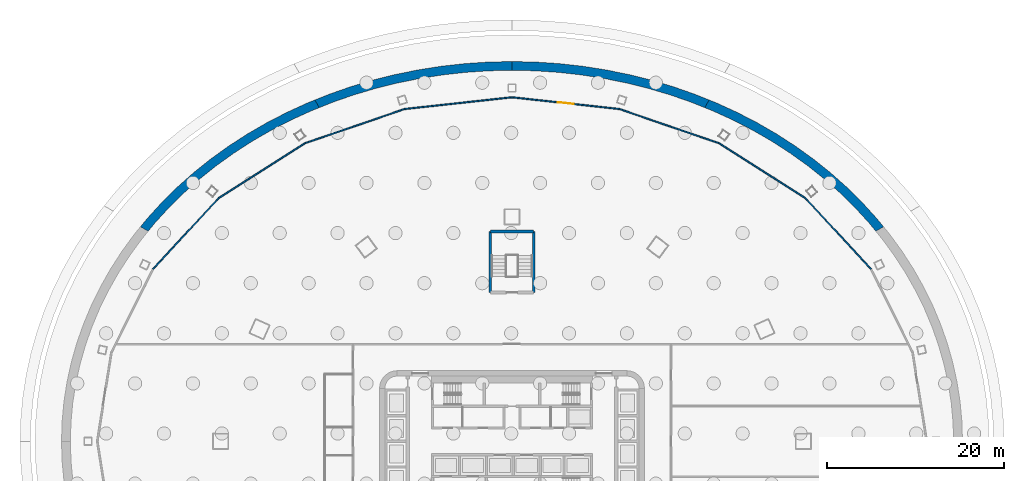
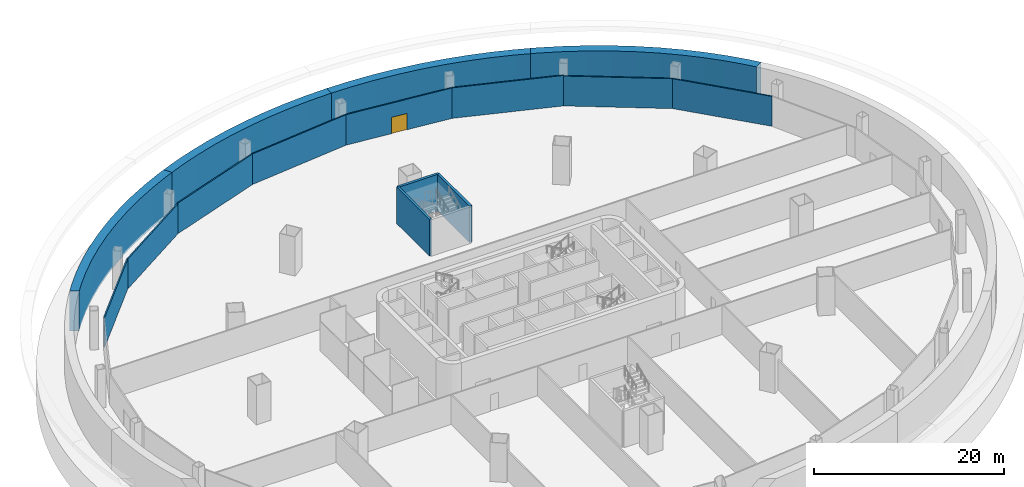
# One storey, part 11 of 19: 15 walls, 1 door, 1 opening.
"""IFC4 building model written with IfcOpenShell, lengths in metres."""

from ifc_helpers import new_model, si_unit, direction, frame, frame_2d, origin, place, context, subcontext, project, spatial, polyline, rectangle, outline, extrude, material, layer, layer_set, type_object, element, fill, save


model = new_model("IFC4")

# Units and contexts
model_context = context("Model", 3, precision=1e-05, world=origin(), true_north=direction((0.0, 1.0)))
body_context = subcontext(model_context, "Body", "Model", "MODEL_VIEW")
ifc_project = project(units=[si_unit("LENGTHUNIT", "METRE"), si_unit("AREAUNIT", "SQUARE_METRE"), si_unit("VOLUMEUNIT", "CUBIC_METRE"), si_unit("PLANEANGLEUNIT", "RADIAN"), si_unit("MASSUNIT", "GRAM", prefix="KILO")], contexts=[model_context])

# Site, building, storey
site_placement = place(None, origin())
site = spatial("IfcSite", under=ifc_project, at=site_placement, CompositionType="ELEMENT")
building_placement = place(site_placement, origin())
building = spatial("IfcBuilding", under=site, at=building_placement, Name="Sahrelin Media Tower", CompositionType="ELEMENT")
storey_placement = place(building_placement, frame((0.0, 0.0, -5.0)))
storey = spatial("IfcBuildingStorey", under=building, at=storey_placement, Name="B1", CompositionType="ELEMENT", Elevation=-5.0)

# Walls
ifc_material_1 = material(Name="Concrete C50/60", Category="concrete")
ifc_layer_1 = layer(ifc_material_1, 1.0)
ifc_layer_set_1 = layer_set([ifc_layer_1], Name="Basement retaining wall")
wall_type_1 = type_object("IfcWallType", Name="Basement retaining wall", PredefinedType="SOLIDWALL", material=ifc_layer_set_1)
placement = place(storey_placement, frame((0.0, 0.0, -0.300048828125)))
element("IfcWall", 1, at=placement, inside=storey, type_object=wall_type_1, Name="Basement retaining wall 2", PredefinedType="SOLIDWALL", context=body_context, shape_type="SweptSolid", body=[
    extrude(outline(polyline([(22.31494140625, 38.650634765625), (21.811279296875, 37.7783203125), (22.699462890625, 37.42236328125), (25.0, 36.373046875), (27.23193359375, 35.22412109375), (29.389404296875, 33.978759765625), (31.466064453125, 32.64013671875), (33.45654296875, 31.212158203125), (35.355224609375, 29.698486328125), (37.1572265625, 28.103515625), (38.857421875, 26.431396484375), (40.45068359375, 24.68701171875), (41.19140625, 23.781982421875), (42.0654296875, 24.28662109375), (41.260009765625, 25.27490234375), (39.634521484375, 27.060791015625), (37.900390625, 28.772705078125), (36.0625, 30.405517578125), (34.125732421875, 31.955078125), (32.09521484375, 33.417236328125), (29.97705078125, 34.78759765625), (27.776611328125, 36.062744140625), (25.5, 37.239013671875), (23.153564453125, 38.313232421875), (22.31494140625, 38.650634765625)])), origin(), (0.0, 0.0, 1.0), 5.10009765625),
])
element("IfcWall", 2, at=placement, inside=storey, type_object=wall_type_1, Name="Basement retaining wall 3", PredefinedType="SOLIDWALL", context=body_context, shape_type="SweptSolid", body=[
    extrude(outline(polyline([(0.0, 43.0), (0.0, 42.0), (2.61669921875, 41.9423828125), (5.226318359375, 41.77001953125), (7.82177734375, 41.48291015625), (10.3955078125, 41.082275390625), (12.94091796875, 40.56884765625), (15.45068359375, 39.9443359375), (17.91845703125, 39.21044921875), (20.3369140625, 38.368896484375), (21.811279296875, 37.7783203125), (22.31494140625, 38.650634765625), (20.74365234375, 39.282470703125), (18.27685546875, 40.14404296875), (15.760009765625, 40.8955078125), (13.19970703125, 41.534912109375), (10.603515625, 42.060302734375), (7.978271484375, 42.470703125), (5.3310546875, 42.764404296875), (2.669189453125, 42.941162109375), (0.0, 43.0)])), origin(), (0.0, 0.0, 1.0), 5.10009765625),
])
element("IfcWall", 3, at=placement, inside=storey, type_object=wall_type_1, Name="Basement retaining wall 4", PredefinedType="SOLIDWALL", context=body_context, shape_type="SweptSolid", body=[
    extrude(outline(polyline([(-22.31494140625, 38.650634765625), (-21.811279296875, 37.7783203125), (-20.3369140625, 38.368896484375), (-17.91845703125, 39.21044921875), (-15.45068359375, 39.9443359375), (-12.94091796875, 40.56884765625), (-10.3955078125, 41.082275390625), (-7.82177734375, 41.48291015625), (-5.226318359375, 41.77001953125), (-2.61669921875, 41.9423828125), (0.0, 42.0), (0.0, 42.0), (0.0, 43.0), (0.0, 43.0), (-2.669189453125, 42.941162109375), (-5.3310546875, 42.764404296875), (-7.978271484375, 42.470703125), (-10.603515625, 42.060302734375), (-13.19970703125, 41.534912109375), (-15.760009765625, 40.8955078125), (-18.27685546875, 40.14404296875), (-20.74365234375, 39.282470703125), (-22.31494140625, 38.650634765625)])), origin(), (0.0, 0.0, 1.0), 5.10009765625),
])
element("IfcWall", 4, at=placement, inside=storey, type_object=wall_type_1, Name="Basement retaining wall 5", PredefinedType="SOLIDWALL", context=body_context, shape_type="SweptSolid", body=[
    extrude(outline(polyline([(-42.0654296875, 24.28662109375), (-41.19140625, 23.781982421875), (-40.45068359375, 24.68701171875), (-38.857421875, 26.431396484375), (-37.1572265625, 28.103515625), (-35.355224609375, 29.698486328125), (-33.45654296875, 31.212158203125), (-31.466064453125, 32.64013671875), (-29.389404296875, 33.978759765625), (-27.23193359375, 35.22412109375), (-25.0, 36.373046875), (-22.699462890625, 37.42236328125), (-21.811279296875, 37.7783203125), (-22.31494140625, 38.650634765625), (-23.153564453125, 38.313232421875), (-25.5, 37.239013671875), (-27.776611328125, 36.062744140625), (-29.97705078125, 34.78759765625), (-32.09521484375, 33.417236328125), (-34.125732421875, 31.955078125), (-36.0625, 30.405517578125), (-37.900390625, 28.772705078125), (-39.634521484375, 27.060791015625), (-41.260009765625, 25.27490234375), (-42.0654296875, 24.28662109375)])), origin(), (0.0, 0.0, 1.0), 5.10009765625),
])
ifc_material_2 = material(Name="Fire-rated gypsum board partition")
ifc_layer_2 = layer(ifc_material_2, 0.14990234375)
ifc_layer_set_2 = layer_set([ifc_layer_2], Name="Fire-rated partition 150")
wall_type_2 = type_object("IfcWallType", Name="Fire-rated partition 150", PredefinedType="PARTITIONING", material=ifc_layer_set_2)
wall_5_placement = place(storey_placement, frame((40.659912109375, 19.47509765625, 0.0), z_axis=(0.0, 0.0, 1.0), x_axis=(-0.679018932137, 0.734120759685, 0.0)))
element("IfcWall", 5, at=wall_5_placement, inside=storey, type_object=wall_type_2, Name="Wall", PredefinedType="PARTITIONING", context=body_context, shape_type="SweptSolid", body=[
    extrude(rectangle(XDim=10.98828125, YDim=0.14990234375, at=frame_2d((5.494140625, 0.0))), origin(), (0.0, 0.0, 1.0), 3.84521484375),
])
wall_6_placement = place(storey_placement, frame((33.19873046875, 27.541748046875, 0.0), z_axis=(0.0, 0.0, 1.0), x_axis=(-0.84357600759, 0.537009794527, 0.0)))
element("IfcWall", 6, at=wall_6_placement, inside=storey, type_object=wall_type_2, Name="Wall", PredefinedType="PARTITIONING", context=body_context, shape_type="SweptSolid", body=[
    extrude(rectangle(XDim=11.526611328125, YDim=0.14990234375, at=frame_2d((5.76318359375, 0.0))), origin(), (0.0, 0.0, 1.0), 3.84521484375),
])
wall_7_placement = place(storey_placement, frame((23.47509765625, 33.731689453125, 0.0), z_axis=(0.0, 0.0, 1.0), x_axis=(-0.945720874623, 0.324980041391, 0.0)))
element("IfcWall", 7, at=wall_7_placement, inside=storey, type_object=wall_type_2, Name="Wall", PredefinedType="PARTITIONING", context=body_context, shape_type="SweptSolid", body=[
    extrude(rectangle(XDim=11.973388671875, YDim=0.14990234375, at=frame_2d((5.98681640625, 0.0))), origin(), (0.0, 0.0, 1.0), 3.926025390625),
])

# Wall, opening, door
wall_8_placement = place(storey_placement, frame((12.151611328125, 37.622802734375, 0.0), z_axis=(0.0, 0.0, 1.0), x_axis=(-0.994088780117, 0.108570241069, 0.0)))
wall_8 = element("IfcWall", 8, at=wall_8_placement, inside=storey, type_object=wall_type_2, Name="Wall", PredefinedType="PARTITIONING", context=body_context, shape_type="SweptSolid", body=[
    extrude(rectangle(XDim=12.223876953125, YDim=0.14990234375, at=frame_2d((6.11181640625, 0.0))), origin(), (0.0, 0.0, 1.0), 3.926025390625),
])
opening_placement = place(wall_8_placement, frame((5.2119140625, 0.0, 0.0)))
opening = element("IfcOpeningElement", 9, at=opening_placement, cuts=wall_8, Name="Opening B1-D20", PredefinedType="OPENING", context=body_context, shape_type="SweptSolid", body=[
    extrude(rectangle(XDim=1.800048828125, YDim=2.10009765625, at=frame_2d((0.89990234375, 1.050048828125))), frame((0.0, 0.074951171875, 0.0), z_axis=(0.0, -1.0, 0.0), x_axis=(1.0, 0.0, 0.0)), (0.0, 0.0, 1.0), 0.14990234375),
])
ifc_material_3 = material(Name="Timber door leaf", Category="wood")
door_type = type_object("IfcDoorType", Name="Double door 1800 x 2100", OperationType="DOUBLE_DOOR_SINGLE_SWING", PredefinedType="DOOR", material=ifc_material_3)
door_placement = place(opening_placement, origin())
door = element("IfcDoor", 10, at=door_placement, inside=storey, type_object=door_type, Name="Double door", OperationType="DOUBLE_DOOR_SINGLE_SWING", OverallHeight=2.10009765625, OverallWidth=1.800048828125, PredefinedType="DOOR", context=body_context, shape_type="SweptSolid", body=[
    extrude(rectangle(XDim=1.800048828125, YDim=2.10009765625, at=frame_2d((0.89990234375, 1.050048828125))), frame((0.0, 0.02490234375, 0.0), z_axis=(0.0, -1.0, 0.0), x_axis=(1.0, 0.0, 0.0)), (0.0, 0.0, 1.0), 0.050048828125),
])
fill(opening, door)

# Walls
wall_9_placement = place(storey_placement, frame((0.0, 38.949951171875, 0.0), z_axis=(0.0, 0.0, 1.0), x_axis=(-0.994088780117, -0.108570241069, 0.0)))
element("IfcWall", 11, at=wall_9_placement, inside=storey, type_object=wall_type_2, Name="Wall", PredefinedType="PARTITIONING", context=body_context, shape_type="SweptSolid", body=[
    extrude(rectangle(XDim=12.223876953125, YDim=0.14990234375, at=frame_2d((6.11181640625, 0.0))), origin(), (0.0, 0.0, 1.0), 3.926025390625),
])
wall_10_placement = place(storey_placement, frame((-12.151611328125, 37.622802734375, 0.0), z_axis=(0.0, 0.0, 1.0), x_axis=(-0.945720874623, -0.324980041391, 0.0)))
element("IfcWall", 12, at=wall_10_placement, inside=storey, type_object=wall_type_2, Name="Wall", PredefinedType="PARTITIONING", context=body_context, shape_type="SweptSolid", body=[
    extrude(rectangle(XDim=11.973388671875, YDim=0.14990234375, at=frame_2d((5.98681640625, 0.0))), origin(), (0.0, 0.0, 1.0), 3.926025390625),
])
wall_11_placement = place(storey_placement, frame((-23.47509765625, 33.731689453125, 0.0), z_axis=(0.0, 0.0, 1.0), x_axis=(-0.84357600759, -0.537009794527, 0.0)))
element("IfcWall", 13, at=wall_11_placement, inside=storey, type_object=wall_type_2, Name="Wall", PredefinedType="PARTITIONING", context=body_context, shape_type="SweptSolid", body=[
    extrude(rectangle(XDim=11.526611328125, YDim=0.14990234375, at=frame_2d((5.76318359375, 0.0))), origin(), (0.0, 0.0, 1.0), 3.84521484375),
])
wall_12_placement = place(storey_placement, frame((-33.19873046875, 27.541748046875, 0.0), z_axis=(0.0, 0.0, 1.0), x_axis=(-0.679018932137, -0.734120759685, 0.0)))
element("IfcWall", 14, at=wall_12_placement, inside=storey, type_object=wall_type_2, Name="Wall", PredefinedType="PARTITIONING", context=body_context, shape_type="SweptSolid", body=[
    extrude(rectangle(XDim=10.98828125, YDim=0.14990234375, at=frame_2d((5.494140625, 0.0))), origin(), (0.0, 0.0, 1.0), 3.84521484375),
])
ifc_material_4 = material(Name="Concrete C60/75", Category="concrete")
ifc_layer_3 = layer(ifc_material_4, 0.300048828125)
ifc_layer_set_3 = layer_set([ifc_layer_3], Name="Stair enclosure wall 300")
wall_type_3 = type_object("IfcWallType", Name="Stair enclosure wall 300", PredefinedType="SOLIDWALL", material=ifc_layer_set_3)
wall_13_placement = place(storey_placement, frame((-2.449951171875, 16.85009765625, 0.0), z_axis=(0.0, 0.0, 1.0), x_axis=(0.0, 1.0, 0.0)))
element("IfcWall", 15, at=wall_13_placement, inside=storey, type_object=wall_type_3, Name="Stair BS1", PredefinedType="SOLIDWALL", context=body_context, shape_type="SweptSolid", body=[
    extrude(rectangle(XDim=6.89990234375, YDim=0.300048828125, at=frame_2d((3.449951171875, 0.0))), origin(), (0.0, 0.0, 1.0), 4.699951171875),
])
wall_14_placement = place(storey_placement, frame((-2.449951171875, 23.75, 0.0), z_axis=(0.0, 0.0, 1.0), x_axis=(1.0, 0.0, 0.0)))
element("IfcWall", 16, at=wall_14_placement, inside=storey, type_object=wall_type_3, Name="Stair BS1", PredefinedType="SOLIDWALL", context=body_context, shape_type="SweptSolid", body=[
    extrude(rectangle(XDim=4.89990234375, YDim=0.300048828125, at=frame_2d((2.449951171875, 0.0))), origin(), (0.0, 0.0, 1.0), 4.699951171875),
])
wall_15_placement = place(storey_placement, frame((2.449951171875, 23.75, 0.0), z_axis=(0.0, 0.0, 1.0), x_axis=(0.0, -1.0, 0.0)))
element("IfcWall", 17, at=wall_15_placement, inside=storey, type_object=wall_type_3, Name="Stair BS1", PredefinedType="SOLIDWALL", context=body_context, shape_type="SweptSolid", body=[
    extrude(rectangle(XDim=6.89990234375, YDim=0.300048828125, at=frame_2d((3.449951171875, 0.0))), origin(), (0.0, 0.0, 1.0), 4.699951171875),
])

save(model, "model.ifc")
